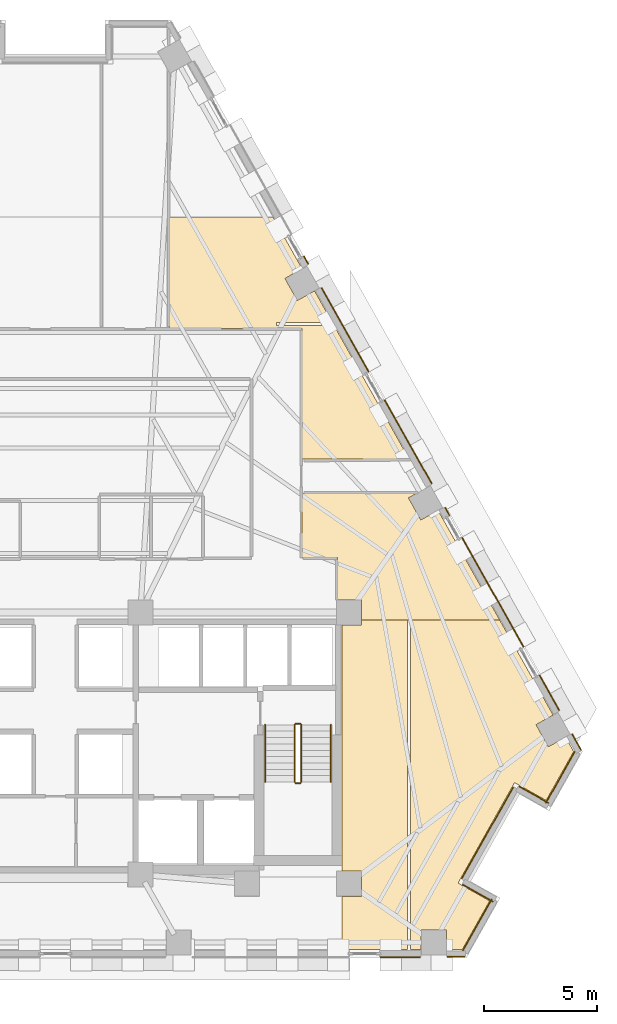
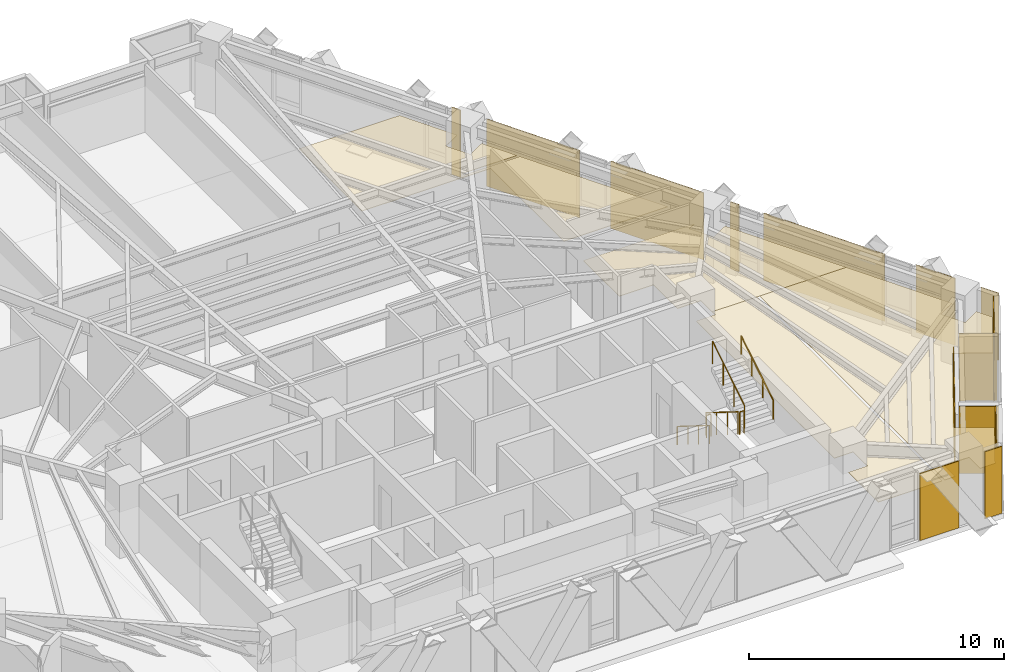
# One storey, part 12 of 13: 18 coverings, 6 railings.
"""IFC4 building model written with IfcOpenShell, lengths in metres."""

from ifc_helpers import new_model, si_unit, direction, frame, origin, origin_2d, place, context, subcontext, project, spatial, polyline, circle, outline, extrude, material, layer, layer_set, type_object, element, save


model = new_model("IFC4")

# Units and contexts
model_context = context("Model", 3, precision=1e-05, world=origin(), true_north=direction((0.0, 1.0)))
body_context = subcontext(model_context, "Body", "Model", "MODEL_VIEW")
ifc_project = project(units=[si_unit("LENGTHUNIT", "METRE"), si_unit("AREAUNIT", "SQUARE_METRE"), si_unit("VOLUMEUNIT", "CUBIC_METRE"), si_unit("PLANEANGLEUNIT", "RADIAN"), si_unit("MASSUNIT", "GRAM", prefix="KILO")], contexts=[model_context])

# Site, building, storey
site_placement = place(None, origin())
site = spatial("IfcSite", under=ifc_project, at=site_placement, CompositionType="ELEMENT")
building_placement = place(site_placement, origin())
building = spatial("IfcBuilding", under=site, at=building_placement, Name="Quenlor Broadcast Tower", CompositionType="ELEMENT")
storey_placement = place(building_placement, frame((0.0, 0.0, 76.60009765625)))
storey = spatial("IfcBuildingStorey", under=building, at=storey_placement, Name="L20", CompositionType="ELEMENT", Elevation=76.60009765625)

# Coverings
ifc_material_1 = material(Name="Acoustic Mineral Fibre Board", Category="other")
ifc_layer_1 = layer(ifc_material_1, 0.02490234375)
ifc_layer_set_1 = layer_set([ifc_layer_1], Name="Acoustic Perforated Mineral Tile Ceiling 25")
covering_type_1 = type_object("IfcCoveringType", Name="Acoustic Perforated Mineral Tile Ceiling 25", PredefinedType="CEILING", material=ifc_layer_set_1)
covering_1_placement = place(storey_placement, frame((0.0, 0.0, 2.224853515625)))
element("IfcCovering", 1, at=covering_1_placement, inside=storey, type_object=covering_type_1, Name="L20 Acoustic Ceiling L20-34", PredefinedType="CEILING", context=body_context, shape_type="SweptSolid", body=[
    extrude(outline(polyline([(12.288818359375, 7.860107421875), (15.59619140625, 1.97998046875), (10.8798828125, 1.97998046875), (10.8798828125, 7.72998046875), (5.0400390625, 7.72998046875), (5.0400390625, 12.64990234375), (9.59423828125, 12.64990234375), (10.883544921875, 10.35791015625), (10.126953125, 9.9326171875), (10.674072265625, 8.959716796875), (11.4306640625, 9.38525390625), (12.22119140625, 7.97998046875), (9.75, 7.97998046875), (9.75, 7.860107421875), (12.288818359375, 7.860107421875)])), origin(), (0.0, 0.0, 1.0), 0.025146484375),
])
covering_2_placement = place(storey_placement, frame((0.0, 0.0, 2.224853515625)))
element("IfcCovering", 2, at=covering_2_placement, inside=storey, type_object=covering_type_1, Name="L20 Acoustic Ceiling L20-38-2", PredefinedType="CEILING", context=body_context, shape_type="SweptSolid", body=[
    extrude(outline(polyline([(13.508056640625, -4.241943359375), (12.43994140625, -4.241943359375), (12.43994140625, -2.3701171875), (10.8798828125, -2.3701171875), (10.8798828125, 0.4462890625), (15.909423828125, 0.4462890625), (15.5703125, 0.255615234375), (16.1171875, -0.717041015625), (16.873779296875, -0.29150390625), (19.58984375, -5.1201171875), (15.659912109375, -5.1201171875), (15.5400390625, -5.1201171875), (13.508056640625, -5.1201171875), (13.508056640625, -4.241943359375)])), origin(), (0.0, 0.0, 1.0), 0.025146484375),
])
covering_3_placement = place(storey_placement, frame((0.0, 0.0, 2.224853515625)))
element("IfcCovering", 3, at=covering_3_placement, inside=storey, type_object=covering_type_1, Name="L20 Acoustic Ceiling L20-38-5", PredefinedType="CEILING", context=body_context, shape_type="SweptSolid", body=[
    extrude(outline(polyline([(13.508056640625, -17.30810546875), (13.508056640625, -16.19189453125), (12.64990234375, -16.19189453125), (12.64990234375, -5.35791015625), (13.508056640625, -5.35791015625), (13.508056640625, -5.1201171875), (15.5400390625, -5.1201171875), (15.5400390625, -19.659912109375), (12.64990234375, -19.659912109375), (12.64990234375, -17.30810546875), (13.508056640625, -17.30810546875)])), origin(), (0.0, 0.0, 1.0), 0.025146484375),
])
covering_4_placement = place(storey_placement, frame((0.0, 0.0, 2.224853515625)))
element("IfcCovering", 4, at=covering_4_placement, inside=storey, type_object=covering_type_1, Name="L20 Acoustic Ceiling L20-38-6", PredefinedType="CEILING", context=body_context, shape_type="SweptSolid", body=[
    extrude(outline(polyline([(21.951416015625, -9.318115234375), (21.19482421875, -9.74365234375), (21.741943359375, -10.71630859375), (22.49853515625, -10.290771484375), (22.85693359375, -10.927978515625), (21.64453125, -13.08349609375), (20.25, -12.299072265625), (17.759521484375, -16.7265625), (19.15380859375, -17.510986328125), (17.9453125, -19.659912109375), (17.25048828125, -19.659912109375), (17.25048828125, -18.7919921875), (16.134521484375, -18.7919921875), (16.134521484375, -19.659912109375), (15.659912109375, -19.659912109375), (15.659912109375, -5.1201171875), (19.58984375, -5.1201171875), (21.951416015625, -9.318115234375)])), origin(), (0.0, 0.0, 1.0), 0.025146484375),
])
ifc_material_2 = material(Name="Architectural Terracotta Ceramic", Category="masonry")
ifc_layer_2 = layer(ifc_material_2, 0.044921875)
ifc_layer_set_2 = layer_set([ifc_layer_2], Name="Fluted Terracotta Rainscreen Cladding Panel")
covering_type_2 = type_object("IfcCoveringType", Name="Fluted Terracotta Rainscreen Cladding Panel", PredefinedType="CLADDING", material=ifc_layer_set_2)
covering_5_placement = place(storey_placement, frame((0.0, 0.0, 0.02001953125)))
element("IfcCovering", 5, at=covering_5_placement, inside=storey, type_object=covering_type_2, Name="L20 Terracotta Rainscreen Cladding L20-SHD-SS0", PredefinedType="CLADDING", context=body_context, shape_type="SweptSolid", body=[
    extrude(outline(polyline([(18.053955078125, -19.951904296875), (17.277587890625, -19.951904296875), (17.277587890625, -19.9970703125), (18.053955078125, -19.9970703125), (18.053955078125, -19.951904296875)])), origin(), (0.0, 0.0, 1.0), 3.2099609375),
])
covering_6_placement = place(storey_placement, frame((0.0, 0.0, 0.02001953125)))
element("IfcCovering", 6, at=covering_6_placement, inside=storey, type_object=covering_type_2, Name="L20 Terracotta Rainscreen Cladding L20-SA-SP1", PredefinedType="CLADDING", context=body_context, shape_type="SweptSolid", body=[
    extrude(outline(polyline([(16.08740234375, -19.971923828125), (14.32177734375, -19.971923828125), (14.32177734375, -20.01708984375), (16.08740234375, -20.01708984375), (16.08740234375, -19.971923828125)])), origin(), (0.0, 0.0, 1.0), 3.2099609375),
])
covering_7_placement = place(storey_placement, frame((0.0, 0.0, 0.02001953125)))
element("IfcCovering", 7, at=covering_7_placement, inside=storey, type_object=covering_type_2, Name="L20 Terracotta Rainscreen Cladding L20-SHD-NES1", PredefinedType="CLADDING", context=body_context, shape_type="SweptSolid", body=[
    extrude(outline(polyline([(22.76611328125, -10.171142578125), (23.160888671875, -10.873046875), (23.2001953125, -10.85107421875), (22.805419921875, -10.149169921875), (22.76611328125, -10.171142578125)])), origin(), (0.0, 0.0, 1.0), 3.2099609375),
])
covering_8_placement = place(storey_placement, frame((0.0, 0.0, 0.02001953125)))
element("IfcCovering", 8, at=covering_8_placement, inside=storey, type_object=covering_type_2, Name="L20 Terracotta Rainscreen Cladding L20-NEA-SP3", PredefinedType="CLADDING", context=body_context, shape_type="SweptSolid", body=[
    extrude(outline(polyline([(10.936279296875, 10.900634765625), (11.13232421875, 10.552001953125), (11.171630859375, 10.57421875), (10.9755859375, 10.922607421875), (10.936279296875, 10.900634765625)])), origin(), (0.0, 0.0, 1.0), 3.2099609375),
])
covering_9_placement = place(storey_placement, frame((0.0, 0.0, 0.02001953125)))
element("IfcCovering", 9, at=covering_9_placement, inside=storey, type_object=covering_type_2, Name="L20 Terracotta Rainscreen Cladding L20-NEC-SP1", PredefinedType="CLADDING", context=body_context, shape_type="SweptSolid", body=[
    extrude(outline(polyline([(17.168701171875, -0.179443359375), (17.36474609375, -0.528076171875), (17.404052734375, -0.506103515625), (17.2080078125, -0.157470703125), (17.168701171875, -0.179443359375)])), origin(), (0.0, 0.0, 1.0), 3.2099609375),
])
covering_10_placement = place(storey_placement, frame((0.0, 0.0, 0.02001953125)))
element("IfcCovering", 10, at=covering_10_placement, inside=storey, type_object=covering_type_2, Name="L20 Terracotta Rainscreen Cladding L20-NEC-SP2", PredefinedType="CLADDING", context=body_context, shape_type="SweptSolid", body=[
    extrude(outline(polyline([(17.912841796875, -1.502197265625), (20.62744140625, -6.328369140625), (20.666748046875, -6.306396484375), (17.951904296875, -1.47998046875), (17.912841796875, -1.502197265625)])), origin(), (0.0, 0.0, 1.0), 3.2099609375),
])
covering_11_placement = place(storey_placement, frame((0.0, 0.0, 0.02001953125)))
element("IfcCovering", 11, at=covering_11_placement, inside=storey, type_object=covering_type_2, Name="L20 Terracotta Rainscreen Cladding L20-NEC-SP3", PredefinedType="CLADDING", context=body_context, shape_type="SweptSolid", body=[
    extrude(outline(polyline([(21.325927734375, -7.56982421875), (22.2001953125, -9.1240234375), (22.239501953125, -9.10205078125), (21.364990234375, -7.5478515625), (21.325927734375, -7.56982421875)])), origin(), (0.0, 0.0, 1.0), 3.2099609375),
])
covering_12_placement = place(storey_placement, frame((0.0, 0.0, 0.02001953125)))
element("IfcCovering", 12, at=covering_12_placement, inside=storey, type_object=covering_type_2, Name="L20 Terracotta Rainscreen Cladding L20-NE-SP1", PredefinedType="CLADDING", context=body_context, shape_type="SweptSolid", body=[
    extrude(outline(polyline([(11.72314453125, 9.501708984375), (13.801513671875, 5.806884765625), (13.8408203125, 5.8291015625), (11.76220703125, 9.523681640625), (11.72314453125, 9.501708984375)])), origin(), (0.0, 0.0, 1.0), 3.2099609375),
])
covering_13_placement = place(storey_placement, frame((0.0, 0.0, 0.02001953125)))
element("IfcCovering", 13, at=covering_13_placement, inside=storey, type_object=covering_type_2, Name="L20 Terracotta Rainscreen Cladding L20-NE-SP2", PredefinedType="CLADDING", context=body_context, shape_type="SweptSolid", body=[
    extrude(outline(polyline([(14.499755859375, 4.565673828125), (16.577880859375, 0.870849609375), (16.6171875, 0.892822265625), (14.538818359375, 4.587646484375), (14.499755859375, 4.565673828125)])), origin(), (0.0, 0.0, 1.0), 3.2099609375),
])
covering_14_placement = place(storey_placement, frame((0.0, 0.0, 0.02001953125)))
element("IfcCovering", 14, at=covering_14_placement, inside=storey, type_object=covering_type_2, Name="L20 Terracotta Rainscreen Cladding L20-CNR-01", PredefinedType="CLADDING", context=body_context, shape_type="SweptSolid", body=[
    extrude(outline(polyline([(19.31787109375, -17.525390625), (17.9755859375, -16.770263671875), (17.95361328125, -16.8095703125), (19.2958984375, -17.564697265625), (19.31787109375, -17.525390625)])), origin(), (0.0, 0.0, 1.0), 3.2099609375),
])
covering_15_placement = place(storey_placement, frame((0.0, 0.0, 0.02001953125)))
element("IfcCovering", 15, at=covering_15_placement, inside=storey, type_object=covering_type_2, Name="L20 Terracotta Rainscreen Cladding L20-CNR-02", PredefinedType="CLADDING", context=body_context, shape_type="SweptSolid", body=[
    extrude(outline(polyline([(17.941162109375, -16.5419921875), (20.206298828125, -12.515380859375), (20.1669921875, -12.493408203125), (17.902099609375, -16.52001953125), (17.941162109375, -16.5419921875)])), origin(), (0.0, 0.0, 1.0), 2.681640625),
])
covering_16_placement = place(storey_placement, frame((0.0, 0.0, 0.02001953125)))
element("IfcCovering", 16, at=covering_16_placement, inside=storey, type_object=covering_type_2, Name="L20 Terracotta Rainscreen Cladding L20-CNR-03", PredefinedType="CLADDING", context=body_context, shape_type="SweptSolid", body=[
    extrude(outline(polyline([(20.4345703125, -12.48095703125), (21.741943359375, -13.21630859375), (21.763916015625, -13.177001953125), (20.45654296875, -12.441650390625), (20.4345703125, -12.48095703125)])), origin(), (0.0, 0.0, 1.0), 3.2099609375),
])
covering_17_placement = place(storey_placement, frame((0.0, 0.0, 0.02001953125)))
element("IfcCovering", 17, at=covering_17_placement, inside=storey, type_object=covering_type_2, Name="L20 Terracotta Rainscreen Cladding L20-CNR-04", PredefinedType="CLADDING", context=body_context, shape_type="SweptSolid", body=[
    extrude(outline(polyline([(21.64990234375, -13.212646484375), (22.926513671875, -10.94287109375), (22.887451171875, -10.9208984375), (21.610595703125, -13.190673828125), (21.64990234375, -13.212646484375)])), origin(), (0.0, 0.0, 1.0), 3.2099609375),
])
covering_18_placement = place(storey_placement, frame((0.0, 0.0, 0.02001953125)))
element("IfcCovering", 18, at=covering_18_placement, inside=storey, type_object=covering_type_2, Name="L20 Terracotta Rainscreen Cladding L20-CNR-18", PredefinedType="CLADDING", context=body_context, shape_type="SweptSolid", body=[
    extrude(outline(polyline([(17.991943359375, -19.71533203125), (19.26708984375, -17.448486328125), (19.227783203125, -17.426513671875), (17.952880859375, -19.693359375), (17.991943359375, -19.71533203125)])), origin(), (0.0, 0.0, 1.0), 3.2099609375),
])

# Railings
ifc_material_3 = material(Name="Anodised Aluminium", Category="aluminium")
railing_type_1 = type_object("IfcRailingType", Name="Stainless Aluminium Wall Handrail 900", PredefinedType="HANDRAIL", material=ifc_material_3)
railing_1_placement = place(storey_placement, frame((9.25, -9.75, 0.1748046875)))
element("IfcRailing", 19, at=railing_1_placement, inside=storey, type_object=railing_type_1, Name="L20 ST-2 stair handrail 1", PredefinedType="HANDRAIL", context=body_context, shape_type="SweptSolid", body=[
    extrude(circle(Radius=0.02392578125, at=origin_2d()), frame((0.0, 0.0, 0.8759765625), z_axis=(0.0, -0.847970611238, 0.530043245855), x_axis=(1.0, 0.0, 0.0)), (0.0, 0.0, 1.0), 2.971923828125),
    extrude(circle(Radius=0.02099609375, at=origin_2d()), origin(), (0.0, 0.0, 1.0), 0.851806640625),
    extrude(circle(Radius=0.02099609375, at=origin_2d()), frame((0.0, -0.840087890625, 0.525146484375)), (0.0, 0.0, 1.0), 0.851806640625),
    extrude(circle(Radius=0.02099609375, at=origin_2d()), frame((0.0, -1.679931640625, 1.050048828125)), (0.0, 0.0, 1.0), 0.851806640625),
    extrude(circle(Radius=0.02099609375, at=origin_2d()), frame((0.0, -2.52001953125, 1.5751953125)), (0.0, 0.0, 1.0), 0.851806640625),
])
railing_2_placement = place(storey_placement, frame((12.14990234375, -12.27001953125, 1.9248046875)))
element("IfcRailing", 20, at=railing_2_placement, inside=storey, type_object=railing_type_1, Name="L20 ST-2 stair handrail 2", PredefinedType="HANDRAIL", context=body_context, shape_type="SweptSolid", body=[
    extrude(circle(Radius=0.02392578125, at=origin_2d()), frame((0.0, 0.0, 0.8759765625), z_axis=(0.0, 0.847970611238, 0.530043245855), x_axis=(-1.0, 0.0, 0.0)), (0.0, 0.0, 1.0), 2.971923828125),
    extrude(circle(Radius=0.02099609375, at=origin_2d()), origin(), (0.0, 0.0, 1.0), 0.851806640625),
    extrude(circle(Radius=0.02099609375, at=origin_2d()), frame((0.0, 0.840087890625, 0.525146484375)), (0.0, 0.0, 1.0), 0.851806640625),
    extrude(circle(Radius=0.02099609375, at=origin_2d()), frame((0.0, 1.679931640625, 1.050048828125)), (0.0, 0.0, 1.0), 0.851806640625),
    extrude(circle(Radius=0.02099609375, at=origin_2d()), frame((0.0, 2.52001953125, 1.5751953125)), (0.0, 0.0, 1.0), 0.851806640625),
])
ifc_material_4 = material(Name="Steel S355", Category="steel")
railing_type_2 = type_object("IfcRailingType", Name="Tubular Steel S355 Stair Guardrail 1100", PredefinedType="BALUSTRADE", material=ifc_material_4)
railing_3_placement = place(storey_placement, frame((10.550048828125, -9.75, 0.1748046875)))
element("IfcRailing", 21, at=railing_3_placement, inside=storey, type_object=railing_type_2, Name="L20 ST-2 stair guard 1", PredefinedType="BALUSTRADE", context=body_context, shape_type="SweptSolid", body=[
    extrude(circle(Radius=0.02392578125, at=origin_2d()), frame((0.0, 0.0, 1.076171875), z_axis=(0.0, -0.847970611238, 0.530043245855), x_axis=(1.0, 0.0, 0.0)), (0.0, 0.0, 1.0), 2.971923828125),
    extrude(circle(Radius=0.02099609375, at=origin_2d()), origin(), (0.0, 0.0, 1.0), 1.052001953125),
    extrude(circle(Radius=0.02099609375, at=origin_2d()), frame((0.0, -0.840087890625, 0.525146484375)), (0.0, 0.0, 1.0), 1.052001953125),
    extrude(circle(Radius=0.02099609375, at=origin_2d()), frame((0.0, -1.679931640625, 1.050048828125)), (0.0, 0.0, 1.0), 1.052001953125),
    extrude(circle(Radius=0.02099609375, at=origin_2d()), frame((0.0, -2.52001953125, 1.5751953125)), (0.0, 0.0, 1.0), 1.052001953125),
])
railing_4_placement = place(storey_placement, frame((10.60009765625, -12.320068359375, 1.75)))
element("IfcRailing", 22, at=railing_4_placement, inside=storey, type_object=railing_type_2, Name="L20 ST-2 stair guard 2", PredefinedType="BALUSTRADE", context=body_context, shape_type="SweptSolid", body=[
    extrude(circle(Radius=0.02392578125, at=origin_2d()), frame((0.0, 0.0, 1.076171875), z_axis=(1.0, 0.0, 0.0), x_axis=(0.0, 1.0, 0.0)), (0.0, 0.0, 1.0), 0.199951171875),
    extrude(circle(Radius=0.02099609375, at=origin_2d()), origin(), (0.0, 0.0, 1.0), 1.052001953125),
    extrude(circle(Radius=0.02099609375, at=origin_2d()), frame((0.199951171875, 0.0, 0.0)), (0.0, 0.0, 1.0), 1.052001953125),
])
railing_5_placement = place(storey_placement, frame((10.85009765625, -12.27001953125, 1.9248046875)))
element("IfcRailing", 23, at=railing_5_placement, inside=storey, type_object=railing_type_2, Name="L20 ST-2 stair guard 3", PredefinedType="BALUSTRADE", context=body_context, shape_type="SweptSolid", body=[
    extrude(circle(Radius=0.02392578125, at=origin_2d()), frame((0.0, 0.0, 1.076171875), z_axis=(0.0, 0.847970611238, 0.530043245855), x_axis=(-1.0, 0.0, 0.0)), (0.0, 0.0, 1.0), 2.971923828125),
    extrude(circle(Radius=0.02099609375, at=origin_2d()), origin(), (0.0, 0.0, 1.0), 1.052001953125),
    extrude(circle(Radius=0.02099609375, at=origin_2d()), frame((0.0, 0.840087890625, 0.525146484375)), (0.0, 0.0, 1.0), 1.052001953125),
    extrude(circle(Radius=0.02099609375, at=origin_2d()), frame((0.0, 1.679931640625, 1.050048828125)), (0.0, 0.0, 1.0), 1.052001953125),
    extrude(circle(Radius=0.02099609375, at=origin_2d()), frame((0.0, 2.52001953125, 1.5751953125)), (0.0, 0.0, 1.0), 1.052001953125),
])
railing_6_placement = place(storey_placement, frame((10.60009765625, -9.699951171875, 0.0)))
element("IfcRailing", 24, at=railing_6_placement, inside=storey, type_object=railing_type_2, Name="L20 ST-2 stair guard 4", PredefinedType="BALUSTRADE", context=body_context, shape_type="SweptSolid", body=[
    extrude(circle(Radius=0.02392578125, at=origin_2d()), frame((0.0, 0.0, 1.076171875), z_axis=(1.0, 0.0, 0.0), x_axis=(0.0, 1.0, 0.0)), (0.0, 0.0, 1.0), 0.199951171875),
    extrude(circle(Radius=0.02099609375, at=origin_2d()), origin(), (0.0, 0.0, 1.0), 1.052001953125),
    extrude(circle(Radius=0.02099609375, at=origin_2d()), frame((0.199951171875, 0.0, 0.0)), (0.0, 0.0, 1.0), 1.052001953125),
])

save(model, "model.ifc")
